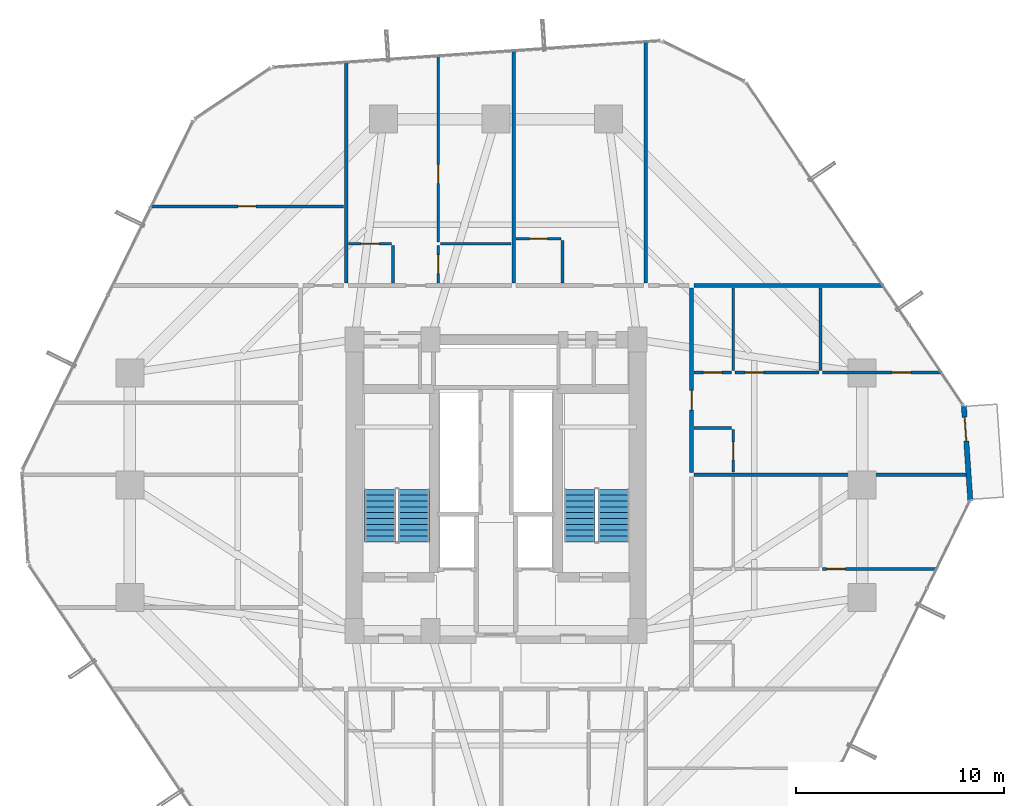
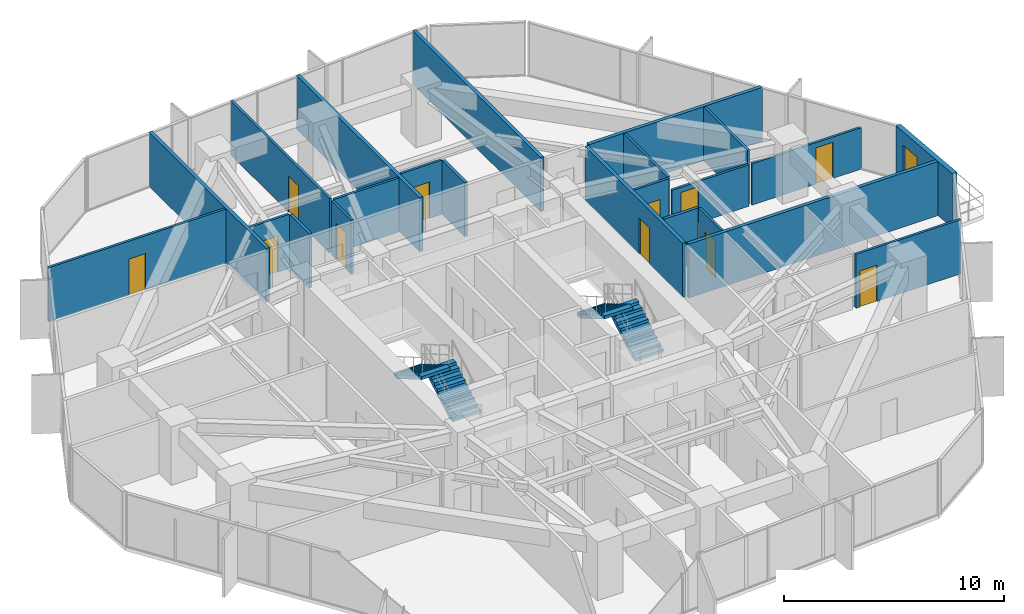
# One storey, part 35 of 37: 23 walls, 12 doors, 4 stair flights, 12 openings, 2 elements without a shape of their own.
"""IFC4 building model written with IfcOpenShell, lengths in metres."""

import ifcopenshell
import ifcopenshell.guid

model = None  # the IFC model being written
_history = None  # IfcOwnerHistory: only IFC2X3 demands one
_inside = {}  # id of a spatial element -> (the spatial element, [elements in it])
_under = {}  # id of a project, library or spatial element -> (it, [spatial elements below it])
_declared = {}  # id of a project -> (the project, [libraries it declares])
_typed = {}  # id of a type object -> (the type object, [elements of that type])
_made_of = {}  # id of a material, layer set ... -> (it, [elements and type objects made of it])


def new_model(schema):
    """Start an empty IFC model of exactly this schema.

    Asked for "IFC4X3", IfcOpenShell would pick the latest addendum, in which some entities
    have other attributes; the version numbers below select the first issue.
    IFC2X3 requires an IfcOwnerHistory on every rooted entity: one is made here for all.
    """
    global model, _history
    if schema == "IFC4X3":
        model = ifcopenshell.file(schema_version=(4, 3, 0, 0))
    else:
        model = ifcopenshell.file(schema=schema)
    _inside.clear()
    _under.clear()
    _declared.clear()
    _typed.clear()
    _made_of.clear()
    _history = None
    if model.schema == "IFC2X3":
        org = make("IfcOrganization", Name="unknown")
        user = make(
            "IfcPersonAndOrganization",
            ThePerson=make("IfcPerson", FamilyName="unknown"),
            TheOrganization=org,
        )
        app = make(
            "IfcApplication",
            ApplicationDeveloper=org,
            Version="unknown",
            ApplicationFullName="unknown",
            ApplicationIdentifier="unknown",
        )
        _history = make(
            "IfcOwnerHistory",
            OwningUser=user,
            OwningApplication=app,
            ChangeAction="ADDED",
            CreationDate=0,
        )
    return model


def make(cls, **values):
    """One entity of the class cls with the attributes given. An attribute that is None is left unset."""
    return model.create_entity(
        cls, **{name: value for name, value in values.items() if value is not None}
    )


def rooted(cls, **values):
    """An entity with a GlobalId (a new one), such as an element, a storey or a relation."""
    return make(cls, GlobalId=ifcopenshell.guid.new(), OwnerHistory=_history, **values)


def si_unit(unit_type, name, prefix=None):
    """IfcSIUnit, for example si_unit("LENGTHUNIT", "METRE", prefix="MILLI")."""
    return make("IfcSIUnit", UnitType=unit_type, Prefix=prefix, Name=name)


def assignment(units):
    """IfcUnitAssignment: the units of a project."""
    return None if units is None else make("IfcUnitAssignment", Units=units)


def point(xyz):
    """IfcCartesianPoint."""
    return None if xyz is None else make("IfcCartesianPoint", Coordinates=xyz)


def direction(xyz):
    """IfcDirection."""
    return None if xyz is None else make("IfcDirection", DirectionRatios=xyz)


def frame(location, z_axis=None, x_axis=None):
    """IfcAxis2Placement3D, a coordinate frame: its origin and axes. An axis left out is left unset."""
    return make(
        "IfcAxis2Placement3D",
        Location=point(location),
        Axis=direction(z_axis),
        RefDirection=direction(x_axis),
    )


def frame_2d(location, x_axis=None):
    """IfcAxis2Placement2D, a coordinate frame in the plane: its origin and x axis."""
    return make(
        "IfcAxis2Placement2D", Location=point(location), RefDirection=direction(x_axis)
    )


def origin():
    """The frame at (0, 0, 0) with its axes left unset."""
    return frame((0.0, 0.0, 0.0))


def place(relative_to, where):
    """IfcLocalPlacement: puts the frame where relative to a parent placement (None: the world)."""
    return make(
        "IfcLocalPlacement", PlacementRelTo=relative_to, RelativePlacement=where
    )


def context(
    kind, dimensions, precision=None, world=None, true_north=None, identifier=None
):
    """IfcGeometricRepresentationContext, for example the 3D "Model" context."""
    return make(
        "IfcGeometricRepresentationContext",
        ContextIdentifier=identifier,
        ContextType=kind,
        CoordinateSpaceDimension=dimensions,
        Precision=precision,
        WorldCoordinateSystem=world,
        TrueNorth=true_north,
    )


def subcontext(parent, identifier, kind, view, scale=None):
    """IfcGeometricRepresentationSubContext, for example "Body" below "Model"."""
    return make(
        "IfcGeometricRepresentationSubContext",
        ContextIdentifier=identifier,
        ContextType=kind,
        ParentContext=parent,
        TargetScale=scale,
        TargetView=view,
    )


def project(units=None, contexts=None):
    """IfcProject with its units and contexts."""
    return rooted(
        "IfcProject",
        Name="project",
        RepresentationContexts=contexts,
        UnitsInContext=assignment(units),
    )


def spatial(cls, under=None, at=None, **own):
    """A site, building, storey or space (cls), placed at a placement, below another one or the project."""
    s = rooted(cls, ObjectPlacement=at, **own)
    if under is not None:
        _under.setdefault(under.id(), (under, []))[1].append(s)
    return s


def polyline(points):
    """IfcPolyline through the points."""
    return make("IfcPolyline", Points=[point(p) for p in points])


def profile(cls, at=None, kind="AREA", **sizes):
    """A parametric profile (cls). Its sizes go by their IFC names, for example OverallWidth=200.0."""
    return make(cls, ProfileType=kind, Position=at, **sizes)


def rectangle(**sizes):
    """IfcRectangleProfileDef."""
    return profile("IfcRectangleProfileDef", **sizes)


def outline(outer, holes=None, kind="AREA"):
    """IfcArbitraryClosedProfileDef: a profile drawn as a closed curve; with holes, ...WithVoids."""
    if holes is None:
        return make("IfcArbitraryClosedProfileDef", ProfileType=kind, OuterCurve=outer)
    return make(
        "IfcArbitraryProfileDefWithVoids",
        ProfileType=kind,
        OuterCurve=outer,
        InnerCurves=holes,
    )


def extrude(swept, where, along, depth):
    """IfcExtrudedAreaSolid: the profile swept, set in the frame where, extruded along a direction by depth."""
    return make(
        "IfcExtrudedAreaSolid",
        SweptArea=swept,
        Position=where,
        ExtrudedDirection=direction(along),
        Depth=depth,
    )


def shape(context_of_items, identifier, shape_type, items):
    """IfcShapeRepresentation: the items that make up one representation, for example the "Body"."""
    return make(
        "IfcShapeRepresentation",
        ContextOfItems=context_of_items,
        RepresentationIdentifier=identifier,
        RepresentationType=shape_type,
        Items=items,
    )


def source(mapping_origin, context_of_items, identifier, shape_type, items):
    """IfcRepresentationMap: a shape defined once, which mapped items show again and again."""
    return make(
        "IfcRepresentationMap",
        MappingOrigin=mapping_origin,
        MappedRepresentation=shape(context_of_items, identifier, shape_type, items),
    )


def transform(
    local_origin,
    x_axis=None,
    y_axis=None,
    z_axis=None,
    scale=None,
    scale2=None,
    scale3=None,
    uniform=True,
):
    """IfcCartesianTransformationOperator3D, or its non-uniform kind. x_axis, y_axis, z_axis: its Axis1, 2, 3."""
    if uniform:
        return make(
            "IfcCartesianTransformationOperator3D",
            Axis1=direction(x_axis),
            Axis2=direction(y_axis),
            LocalOrigin=point(local_origin),
            Scale=scale,
            Axis3=direction(z_axis),
        )
    return make(
        "IfcCartesianTransformationOperator3DnonUniform",
        Axis1=direction(x_axis),
        Axis2=direction(y_axis),
        LocalOrigin=point(local_origin),
        Scale=scale,
        Axis3=direction(z_axis),
        Scale2=scale2,
        Scale3=scale3,
    )


def mapped(mapping_source, mapping_target):
    """IfcMappedItem: shows the shape of a source again, moved by a transform."""
    return make(
        "IfcMappedItem", MappingSource=mapping_source, MappingTarget=mapping_target
    )


def material(Name=None, Category=None):
    """IfcMaterial."""
    return make("IfcMaterial", Name=Name, Category=Category)


def layer(
    of_material, thickness, ventilated=None, Name=None, Category=None, Priority=None
):
    """IfcMaterialLayer: one layer of a wall or slab, of a material (None: an air gap)."""
    return make(
        "IfcMaterialLayer",
        Material=of_material,
        LayerThickness=thickness,
        IsVentilated=ventilated,
        Name=Name,
        Category=Category,
        Priority=Priority,
    )


def layer_set(layers, Name=None):
    """IfcMaterialLayerSet."""
    return make("IfcMaterialLayerSet", MaterialLayers=layers, LayerSetName=Name)


def made_of(thing, what):
    """Note that an element or type object is made of a material, layer set ...; save() writes the relation."""
    if what is not None:
        _made_of.setdefault(what.id(), (what, []))[1].append(thing)
    return thing


def type_object(cls, material=None, **own):
    """A type object (cls), such as IfcWallType, which elements share."""
    return made_of(rooted(cls, **own), material)


def element(
    cls,
    number,
    at=None,
    inside=None,
    cuts=None,
    type_object=None,
    material=None,
    context=None,
    identifier="Body",
    shape_type=None,
    held_by="IfcProductDefinitionShape",
    body=None,
    shapes=None,
    **own,
):
    """One element of the class cls, such as IfcWall. Its Tag is "e" and its number.

    at: its placement. inside: the storey or other place that contains it. cuts: it is an
    opening in that element (IfcRelVoidsElement). A single representation is given by context,
    identifier, shape_type and body (its items); several are given by shapes. held_by: the class
    of the entity that holds the representations. save() writes the other relations.
    """
    e = rooted(cls, Tag="e%d" % number, ObjectPlacement=at, **own)
    if body is not None:
        shapes = [shape(context, identifier, shape_type, body)]
    if shapes is not None:
        e.Representation = make(held_by, Representations=shapes)
    if inside is not None:
        _inside.setdefault(inside.id(), (inside, []))[1].append(e)
    if cuts is not None:
        rooted(
            "IfcRelVoidsElement", RelatingBuildingElement=cuts, RelatedOpeningElement=e
        )
    if type_object is not None:
        _typed.setdefault(type_object.id(), (type_object, []))[1].append(e)
    return made_of(e, material)


def fill(opening, filler):
    """IfcRelFillsElement: the door or window that sits in an opening."""
    return rooted(
        "IfcRelFillsElement",
        RelatingOpeningElement=opening,
        RelatedBuildingElement=filler,
    )


def aggregate(whole, parts):
    """IfcRelAggregates: a whole, such as a stair, and the parts it consists of."""
    return rooted("IfcRelAggregates", RelatingObject=whole, RelatedObjects=parts)


def save(model, path):
    """Write the relations noted so far, then the file.

    IfcRelAggregates (storeys below a building ...), IfcRelContainedInSpatialStructure (elements
    in a storey), IfcRelDefinesByType, IfcRelAssociatesMaterial and IfcRelDeclares: one each for
    every whole, place, type object, material and project.
    """
    for whole, parts in _under.values():
        aggregate(whole, parts)
    for where, things in _inside.values():
        rooted(
            "IfcRelContainedInSpatialStructure",
            RelatedElements=things,
            RelatingStructure=where,
        )
    for kind, things in _typed.values():
        rooted("IfcRelDefinesByType", RelatedObjects=things, RelatingType=kind)
    for what, things in _made_of.values():
        rooted("IfcRelAssociatesMaterial", RelatedObjects=things, RelatingMaterial=what)
    for by, libraries in _declared.values():
        rooted("IfcRelDeclares", RelatingContext=by, RelatedDefinitions=libraries)
    model.write(path)


model = new_model("IFC4")

# Units and contexts
model_context = context("Model", 3, precision=1e-05, world=origin(), true_north=direction((0.0, 1.0)))
body_context = subcontext(model_context, "Body", "Model", "MODEL_VIEW")
ifc_project = project(units=[si_unit("LENGTHUNIT", "METRE"), si_unit("AREAUNIT", "SQUARE_METRE"), si_unit("VOLUMEUNIT", "CUBIC_METRE"), si_unit("PLANEANGLEUNIT", "RADIAN"), si_unit("MASSUNIT", "GRAM", prefix="KILO")], contexts=[model_context])

# Site, building, storey
site_placement = place(None, origin())
site = spatial("IfcSite", under=ifc_project, at=site_placement, CompositionType="ELEMENT")
building_placement = place(site_placement, origin())
building = spatial("IfcBuilding", under=site, at=building_placement, Name="Veraguas Prism Commons", CompositionType="ELEMENT")
storey_placement = place(building_placement, frame((0.0, 0.0, 37.050048828125)))
storey = spatial("IfcBuildingStorey", under=building, at=storey_placement, Name="L09", CompositionType="ELEMENT", Elevation=37.050048828125)

# Walls
ifc_material_1 = material(Name="Autoclaved aerated masonry block 10 MPa", Category="masonry")
ifc_layer_1 = layer(ifc_material_1, 0.179931640625, Name="Corridor and Inter-Tenancy Partition 180", Category="masonry")
ifc_layer_set_1 = layer_set([ifc_layer_1], Name="Autoclaved aerated masonry block 10 MPa")
wall_type_1 = type_object("IfcWallType", Name="Corridor and Inter-Tenancy Partition 180", PredefinedType="PARTITIONING", material=ifc_layer_set_1)
wall_1_placement = place(storey_placement, frame((16.800048828125, 33.719970703125, 0.0), z_axis=(0.0, 0.0, 1.0), x_axis=(0.0, 1.0, 0.0)))
element("IfcWall", 1, at=wall_1_placement, inside=storey, type_object=wall_type_1, Name="WL-L09-PT016", PredefinedType="PARTITIONING", context=body_context, shape_type="SweptSolid", body=[
    extrude(rectangle(XDim=10.650146484375, YDim=0.179931640625, at=frame_2d((5.3251953125, 0.0))), origin(), (0.0, 0.0, 1.0), 3.0),
])
wall_2_placement = place(storey_placement, frame((31.199951171875, 33.719970703125, 0.0), z_axis=(0.0, 0.0, 1.0), x_axis=(0.0, 1.0, 0.0)))
element("IfcWall", 2, at=wall_2_placement, inside=storey, type_object=wall_type_1, Name="WL-L09-PT017", PredefinedType="PARTITIONING", context=body_context, shape_type="SweptSolid", body=[
    extrude(rectangle(XDim=11.63671875, YDim=0.179931640625, at=frame_2d((5.818359375, 0.0))), origin(), (0.0, 0.0, 1.0), 3.0),
])
wall_3_placement = place(storey_placement, frame((24.85205078125, 33.719970703125, 0.0), z_axis=(0.0, 0.0, 1.0), x_axis=(0.0, 1.0, 0.0)))
element("IfcWall", 3, at=wall_3_placement, inside=storey, type_object=wall_type_1, Name="WL-L09-PT024", PredefinedType="PARTITIONING", context=body_context, shape_type="SweptSolid", body=[
    extrude(rectangle(XDim=11.201904296875, YDim=0.179931640625, at=frame_2d((5.60107421875, 0.0))), origin(), (0.0, 0.0, 1.0), 3.0),
])
wall_4_placement = place(storey_placement, frame((33.52001953125, 33.60009765625, 0.0), z_axis=(0.0, 0.0, 1.0), x_axis=(1.0, 0.0, 0.0)))
element("IfcWall", 4, at=wall_4_placement, inside=storey, type_object=wall_type_1, Name="WL-L09-PT038", PredefinedType="PARTITIONING", context=body_context, shape_type="SweptSolid", body=[
    extrude(rectangle(XDim=9.107421875, YDim=0.179931640625, at=frame_2d((4.5537109375, 0.0))), origin(), (0.0, 0.0, 1.0), 3.0),
])
wall_5_placement = place(storey_placement, frame((33.52001953125, 24.508056640625, 0.0), z_axis=(0.0, 0.0, 1.0), x_axis=(1.0, 0.0, 0.0)))
element("IfcWall", 5, at=wall_5_placement, inside=storey, type_object=wall_type_1, Name="WL-L09-PT047", PredefinedType="PARTITIONING", context=body_context, shape_type="SweptSolid", body=[
    extrude(rectangle(XDim=13.2294921875, YDim=0.179931640625, at=frame_2d((6.61474609375, 0.0))), origin(), (0.0, 0.0, 1.0), 3.0),
])

# Wall, opening, door
wall_6_placement = place(storey_placement, frame((33.39990234375, 24.617919921875, 0.0), z_axis=(0.0, 0.0, 1.0), x_axis=(0.0, 1.0, 0.0)))
wall_6 = element("IfcWall", 6, at=wall_6_placement, inside=storey, type_object=wall_type_1, Name="WL-L09-PT048", PredefinedType="PARTITIONING", context=body_context, shape_type="SweptSolid", body=[
    extrude(rectangle(XDim=8.8720703125, YDim=0.179931640625, at=frame_2d((4.43603515625, 0.0))), origin(), (0.0, 0.0, 1.0), 3.0),
])
opening_1_placement = place(wall_6_placement, frame((2.9951171875, 0.0, 0.0)))
opening_1 = element("IfcOpeningElement", 7, at=opening_1_placement, cuts=wall_6, Name="Opening DR-01", PredefinedType="OPENING", context=body_context, shape_type="SweptSolid", body=[
    extrude(rectangle(XDim=0.949951171875, YDim=2.02001953125, at=frame_2d((0.47509765625, 1.010009765625))), frame((0.0, 0.099853515625, 0.0), z_axis=(0.0, -1.0, 0.0), x_axis=(1.0, 0.0, 0.0)), (0.0, 0.0, 1.0), 0.199951171875),
])
ifc_material_2 = material(Name="Anodised aluminium EN AW-6063 T6", Category="aluminium")
door_type_1 = type_object("IfcDoorType", Name="Apartment Entrance Fire Door 950x2020", OperationType="NOTDEFINED", PredefinedType="DOOR", material=ifc_material_2)
shared_shape_1 = source(origin(), body_context, "Body", "SweptSolid", [
    extrude(rectangle(XDim=0.949951171875, YDim=2.02001953125, at=frame_2d((0.47509765625, 1.010009765625))), frame((0.0, 0.02490234375, 0.0), z_axis=(0.0, -1.0, 0.0), x_axis=(1.0, 0.0, 0.0)), (0.0, 0.0, 1.0), 0.050048828125),
])
door_1_placement = place(opening_1_placement, origin())
door_1 = element("IfcDoor", 8, at=door_1_placement, inside=storey, type_object=door_type_1, Name="Flat 09F Entrance Door", OperationType="SINGLE_SWING_RIGHT", OverallHeight=2.02001953125, OverallWidth=0.949951171875, PredefinedType="DOOR", context=body_context, shape_type="MappedRepresentation", body=[
    mapped(shared_shape_1, transform((0.0, 0.0, 0.0), scale=1.0)),
])
fill(opening_1, door_1)

ifc_material_3 = material(Name="Precast concrete C40/50", Category="concrete")
ifc_layer_2 = layer(ifc_material_3, 0.25, Name="External Loggia and Portal Wall 250", Category="concrete")
ifc_layer_set_2 = layer_set([ifc_layer_2], Name="Precast concrete C40/50")
wall_type_2 = type_object("IfcWallType", Name="External Loggia and Portal Wall 250", PredefinedType="SOLIDWALL", material=ifc_layer_set_2)
wall_7_placement = place(storey_placement, frame((46.804443359375, 23.267333984375, 0.0), z_axis=(0.0, 0.0, 1.0), x_axis=(-0.068390469298, 0.99765863085, 0.0)))
wall_7 = element("IfcWall", 9, at=wall_7_placement, inside=storey, type_object=wall_type_2, Name="Corner Loggia Wall L09-C1", PredefinedType="SOLIDWALL", context=body_context, shape_type="SweptSolid", body=[
    extrude(rectangle(XDim=4.580078125, YDim=0.25, at=frame_2d((2.2900390625, 0.0))), origin(), (0.0, 0.0, 1.0), 3.0),
])
opening_2_placement = place(wall_7_placement, frame((2.860107421875, 0.0, 0.0)))
opening_2 = element("IfcOpeningElement", 10, at=opening_2_placement, cuts=wall_7, Name="Opening DR-10", PredefinedType="OPENING", context=body_context, shape_type="SweptSolid", body=[
    extrude(rectangle(XDim=1.14990234375, YDim=2.25, at=frame_2d((0.574951171875, 1.125))), frame((0.0, 0.135009765625, 0.0), z_axis=(0.0, -1.0, 0.0), x_axis=(1.0, 0.0, 0.0)), (0.0, 0.0, 1.0), 0.27001953125),
])
door_type_2 = type_object("IfcDoorType", Name="Glazed Loggia and Terrace Door 1150x2250", OperationType="NOTDEFINED", PredefinedType="DOOR", material=ifc_material_2)
shared_shape_2 = source(origin(), body_context, "Body", "SweptSolid", [
    extrude(rectangle(XDim=1.14990234375, YDim=2.25, at=frame_2d((0.574951171875, 1.125))), frame((0.0, 0.02490234375, 0.0), z_axis=(0.0, -1.0, 0.0), x_axis=(1.0, 0.0, 0.0)), (0.0, 0.0, 1.0), 0.050048828125),
])
door_2_placement = place(opening_2_placement, frame((1.14990234375, 0.0, 0.0), z_axis=(0.0, 0.0, 1.0), x_axis=(-1.0, 0.0, 0.0)))
door_2 = element("IfcDoor", 11, at=door_2_placement, inside=storey, type_object=door_type_2, Name="Recessed Loggia Door L09-C1", OperationType="SINGLE_SWING_LEFT", OverallHeight=2.25, OverallWidth=1.14990234375, PredefinedType="DOOR", context=body_context, shape_type="MappedRepresentation", body=[
    mapped(shared_shape_2, transform((0.0, 0.0, 0.0), scale=1.0)),
])
fill(opening_2, door_2)

ifc_material_4 = material(Name="Lightweight acoustic gypsum board")
ifc_layer_3 = layer(ifc_material_4, 0.125, Name="Internal Apartment Room Partition 125")
ifc_layer_set_3 = layer_set([ifc_layer_3], Name="Lightweight acoustic gypsum board")
wall_type_3 = type_object("IfcWallType", Name="Internal Apartment Room Partition 125", PredefinedType="PARTITIONING", material=ifc_layer_set_3)
wall_8_placement = place(storey_placement, frame((16.919921875, 35.60009765625, 0.0), z_axis=(0.0, 0.0, 1.0), x_axis=(1.0, 0.0, 0.0)))
wall_8 = element("IfcWall", 12, at=wall_8_placement, inside=storey, type_object=wall_type_3, Name="WL-L09-PT020", PredefinedType="PARTITIONING", context=body_context, shape_type="SweptSolid", body=[
    extrude(rectangle(XDim=2.050048828125, YDim=0.125, at=frame_2d((1.02490234375, 0.0))), origin(), (0.0, 0.0, 1.0), 3.0),
])
opening_3_placement = place(wall_8_placement, frame((0.594970703125, 0.0, 0.0)))
opening_3 = element("IfcOpeningElement", 13, at=opening_3_placement, cuts=wall_8, Name="Opening DR-03", PredefinedType="OPENING", context=body_context, shape_type="SweptSolid", body=[
    extrude(rectangle(XDim=0.860107421875, YDim=2.010009765625, at=frame_2d((0.43017578125, 1.0048828125))), frame((0.0, 0.072509765625, 0.0), z_axis=(0.0, -1.0, 0.0), x_axis=(1.0, 0.0, 0.0)), (0.0, 0.0, 1.0), 0.14501953125),
])
ifc_material_5 = material(Name="Timber moisture-resistant leaf", Category="wood")
door_type_3 = type_object("IfcDoorType", Name="Internal Bathroom Door 860x2010", OperationType="NOTDEFINED", PredefinedType="DOOR", material=ifc_material_5)
shared_shape_3 = source(origin(), body_context, "Body", "SweptSolid", [
    extrude(rectangle(XDim=0.860107421875, YDim=2.010009765625, at=frame_2d((0.43017578125, 1.0048828125))), frame((0.0, 0.02490234375, 0.0), z_axis=(0.0, -1.0, 0.0), x_axis=(1.0, 0.0, 0.0)), (0.0, 0.0, 1.0), 0.050048828125),
])
door_3_placement = place(opening_3_placement, origin())
door_3 = element("IfcDoor", 14, at=door_3_placement, inside=storey, type_object=door_type_3, Name="Flat 09C Bathroom Door", OperationType="SINGLE_SWING_RIGHT", OverallHeight=2.010009765625, OverallWidth=0.860107421875, PredefinedType="DOOR", context=body_context, shape_type="MappedRepresentation", body=[
    mapped(shared_shape_3, transform((0.0, 0.0, 0.0), scale=1.0)),
])
fill(opening_3, door_3)

wall_9_placement = place(storey_placement, frame((21.22900390625, 33.719970703125, 0.0), z_axis=(0.0, 0.0, 1.0), x_axis=(0.0, 1.0, 0.0)))
wall_9 = element("IfcWall", 15, at=wall_9_placement, inside=storey, type_object=wall_type_3, Name="WL-L09-PT021", PredefinedType="PARTITIONING", context=body_context, shape_type="SweptSolid", body=[
    extrude(rectangle(XDim=1.800048828125, YDim=0.125, at=frame_2d((0.89990234375, 0.0))), origin(), (0.0, 0.0, 1.0), 3.0),
])
opening_4_placement = place(wall_9_placement, frame((0.449951171875, 0.0, 0.0)))
opening_4 = element("IfcOpeningElement", 16, at=opening_4_placement, cuts=wall_9, Name="Opening DR-02", PredefinedType="OPENING", context=body_context, shape_type="SweptSolid", body=[
    extrude(rectangle(XDim=0.89990234375, YDim=2.010009765625, at=frame_2d((0.449951171875, 1.0048828125))), frame((0.0, 0.072509765625, 0.0), z_axis=(0.0, -1.0, 0.0), x_axis=(1.0, 0.0, 0.0)), (0.0, 0.0, 1.0), 0.14501953125),
])
ifc_material_6 = material(Name="Timber solid core hardwood", Category="wood")
door_type_4 = type_object("IfcDoorType", Name="Internal Habitable Room Door 900x2010", OperationType="NOTDEFINED", PredefinedType="DOOR", material=ifc_material_6)
shared_shape_4 = source(origin(), body_context, "Body", "SweptSolid", [
    extrude(rectangle(XDim=0.89990234375, YDim=2.010009765625, at=frame_2d((0.449951171875, 1.0048828125))), frame((0.0, 0.02490234375, 0.0), z_axis=(0.0, -1.0, 0.0), x_axis=(1.0, 0.0, 0.0)), (0.0, 0.0, 1.0), 0.050048828125),
])
door_4_placement = place(opening_4_placement, origin())
door_4 = element("IfcDoor", 17, at=door_4_placement, inside=storey, type_object=door_type_4, Name="Flat 09C Kitchen Door", OperationType="SINGLE_SWING_LEFT", OverallHeight=2.010009765625, OverallWidth=0.89990234375, PredefinedType="DOOR", context=body_context, shape_type="MappedRepresentation", body=[
    mapped(shared_shape_4, transform((0.0, 0.0, 0.0), scale=1.0)),
])
fill(opening_4, door_4)

# Wall
wall_10_placement = place(storey_placement, frame((21.3291015625, 35.60009765625, 0.0), z_axis=(0.0, 0.0, 1.0), x_axis=(1.0, 0.0, 0.0)))
element("IfcWall", 18, at=wall_10_placement, inside=storey, type_object=wall_type_3, Name="WL-L09-PT022", PredefinedType="PARTITIONING", context=body_context, shape_type="SweptSolid", body=[
    extrude(rectangle(XDim=3.40283203125, YDim=0.125, at=frame_2d((1.701416015625, 0.0))), origin(), (0.0, 0.0, 1.0), 3.0),
])

# Wall, opening, door
wall_11_placement = place(storey_placement, frame((21.22900390625, 35.699951171875, 0.0), z_axis=(0.0, 0.0, 1.0), x_axis=(0.0, 1.0, 0.0)))
wall_11 = element("IfcWall", 19, at=wall_11_placement, inside=storey, type_object=wall_type_3, Name="WL-L09-PT023", PredefinedType="PARTITIONING", context=body_context, shape_type="SweptSolid", body=[
    extrude(rectangle(XDim=8.9736328125, YDim=0.125, at=frame_2d((4.48681640625, 0.0))), origin(), (0.0, 0.0, 1.0), 3.0),
])
opening_5_placement = place(wall_11_placement, frame((2.80908203125, 0.0, 0.0)))
opening_5 = element("IfcOpeningElement", 20, at=opening_5_placement, cuts=wall_11, Name="Opening DR-02", PredefinedType="OPENING", context=body_context, shape_type="SweptSolid", body=[
    extrude(rectangle(XDim=0.89990234375, YDim=2.010009765625, at=frame_2d((0.449951171875, 1.0048828125))), frame((0.0, 0.072509765625, 0.0), z_axis=(0.0, -1.0, 0.0), x_axis=(1.0, 0.0, 0.0)), (0.0, 0.0, 1.0), 0.14501953125),
])
door_5_placement = place(opening_5_placement, origin())
door_5 = element("IfcDoor", 21, at=door_5_placement, inside=storey, type_object=door_type_4, Name="Flat 09C Bedroom 1 Door", OperationType="SINGLE_SWING_RIGHT", OverallHeight=2.010009765625, OverallWidth=0.89990234375, PredefinedType="DOOR", context=body_context, shape_type="MappedRepresentation", body=[
    mapped(shared_shape_4, transform((0.0, 0.0, 0.0), scale=1.0)),
])
fill(opening_5, door_5)

wall_12_placement = place(storey_placement, frame((24.971923828125, 35.85009765625, 0.0), z_axis=(0.0, 0.0, 1.0), x_axis=(1.0, 0.0, 0.0)))
wall_12 = element("IfcWall", 22, at=wall_12_placement, inside=storey, type_object=wall_type_3, Name="WL-L09-PT027", PredefinedType="PARTITIONING", context=body_context, shape_type="SweptSolid", body=[
    extrude(rectangle(XDim=2.150146484375, YDim=0.125, at=frame_2d((1.0751953125, 0.0))), origin(), (0.0, 0.0, 1.0), 3.0),
])
opening_6_placement = place(wall_12_placement, frame((0.64501953125, 0.0, 0.0)))
opening_6 = element("IfcOpeningElement", 23, at=opening_6_placement, cuts=wall_12, Name="Opening DR-03", PredefinedType="OPENING", context=body_context, shape_type="SweptSolid", body=[
    extrude(rectangle(XDim=0.860107421875, YDim=2.010009765625, at=frame_2d((0.43017578125, 1.0048828125))), frame((0.0, 0.072509765625, 0.0), z_axis=(0.0, -1.0, 0.0), x_axis=(1.0, 0.0, 0.0)), (0.0, 0.0, 1.0), 0.14501953125),
])
door_6_placement = place(opening_6_placement, origin())
door_6 = element("IfcDoor", 24, at=door_6_placement, inside=storey, type_object=door_type_3, Name="Studio 09D Bathroom Door", OperationType="SINGLE_SWING_RIGHT", OverallHeight=2.010009765625, OverallWidth=0.860107421875, PredefinedType="DOOR", context=body_context, shape_type="MappedRepresentation", body=[
    mapped(shared_shape_3, transform((0.0, 0.0, 0.0), scale=1.0)),
])
fill(opening_6, door_6)

wall_13_placement = place(storey_placement, frame((39.699951171875, 19.971923828125, 0.0), z_axis=(0.0, 0.0, 1.0), x_axis=(1.0, 0.0, 0.0)))
wall_13 = element("IfcWall", 25, at=wall_13_placement, inside=storey, type_object=wall_type_3, Name="WL-L09-PT046", PredefinedType="PARTITIONING", context=body_context, shape_type="SweptSolid", body=[
    extrude(rectangle(XDim=5.502685546875, YDim=0.125, at=frame_2d((2.75146484375, 0.0))), origin(), (0.0, 0.0, 1.0), 3.0),
])
opening_7_placement = place(wall_13_placement, frame((0.199951171875, 0.0, 0.0)))
opening_7 = element("IfcOpeningElement", 26, at=opening_7_placement, cuts=wall_13, Name="Opening DR-02", PredefinedType="OPENING", context=body_context, shape_type="SweptSolid", body=[
    extrude(rectangle(XDim=0.89990234375, YDim=2.010009765625, at=frame_2d((0.449951171875, 1.0048828125))), frame((0.0, 0.072509765625, 0.0), z_axis=(0.0, -1.0, 0.0), x_axis=(1.0, 0.0, 0.0)), (0.0, 0.0, 1.0), 0.14501953125),
])
door_7_placement = place(opening_7_placement, origin())
door_7 = element("IfcDoor", 27, at=door_7_placement, inside=storey, type_object=door_type_4, Name="Flat 09E Bedroom 2 Door", OperationType="SINGLE_SWING_LEFT", OverallHeight=2.010009765625, OverallWidth=0.89990234375, PredefinedType="DOOR", context=body_context, shape_type="MappedRepresentation", body=[
    mapped(shared_shape_4, transform((0.0, 0.0, 0.0), scale=1.0)),
])
fill(opening_7, door_7)

wall_14_placement = place(storey_placement, frame((35.39990234375, 24.6279296875, 0.0), z_axis=(0.0, 0.0, 1.0), x_axis=(0.0, 1.0, 0.0)))
wall_14 = element("IfcWall", 28, at=wall_14_placement, inside=storey, type_object=wall_type_3, Name="WL-L09-PT050", PredefinedType="PARTITIONING", context=body_context, shape_type="SweptSolid", body=[
    extrude(rectangle(XDim=2.050048828125, YDim=0.125, at=frame_2d((1.02490234375, 0.0))), origin(), (0.0, 0.0, 1.0), 3.0),
])
opening_8_placement = place(wall_14_placement, frame((0.594970703125, 0.0, 0.0)))
opening_8 = element("IfcOpeningElement", 29, at=opening_8_placement, cuts=wall_14, Name="Opening DR-03", PredefinedType="OPENING", context=body_context, shape_type="SweptSolid", body=[
    extrude(rectangle(XDim=0.860107421875, YDim=2.010009765625, at=frame_2d((0.43017578125, 1.0048828125))), frame((0.0, 0.072509765625, 0.0), z_axis=(0.0, -1.0, 0.0), x_axis=(1.0, 0.0, 0.0)), (0.0, 0.0, 1.0), 0.14501953125),
])
door_8_placement = place(opening_8_placement, origin())
door_8 = element("IfcDoor", 30, at=door_8_placement, inside=storey, type_object=door_type_3, Name="Flat 09F Bathroom Door", OperationType="SINGLE_SWING_LEFT", OverallHeight=2.010009765625, OverallWidth=0.860107421875, PredefinedType="DOOR", context=body_context, shape_type="MappedRepresentation", body=[
    mapped(shared_shape_3, transform((0.0, 0.0, 0.0), scale=1.0)),
])
fill(opening_8, door_8)

wall_15_placement = place(storey_placement, frame((33.52001953125, 29.41796875, 0.0), z_axis=(0.0, 0.0, 1.0), x_axis=(1.0, 0.0, 0.0)))
wall_15 = element("IfcWall", 31, at=wall_15_placement, inside=storey, type_object=wall_type_3, Name="WL-L09-PT051", PredefinedType="PARTITIONING", context=body_context, shape_type="SweptSolid", body=[
    extrude(rectangle(XDim=1.800048828125, YDim=0.125, at=frame_2d((0.89990234375, 0.0))), origin(), (0.0, 0.0, 1.0), 3.0),
])
opening_9_placement = place(wall_15_placement, frame((0.449951171875, 0.0, 0.0)))
opening_9 = element("IfcOpeningElement", 32, at=opening_9_placement, cuts=wall_15, Name="Opening DR-02", PredefinedType="OPENING", context=body_context, shape_type="SweptSolid", body=[
    extrude(rectangle(XDim=0.89990234375, YDim=2.010009765625, at=frame_2d((0.449951171875, 1.0048828125))), frame((0.0, 0.072509765625, 0.0), z_axis=(0.0, -1.0, 0.0), x_axis=(1.0, 0.0, 0.0)), (0.0, 0.0, 1.0), 0.14501953125),
])
door_9_placement = place(opening_9_placement, origin())
door_9 = element("IfcDoor", 33, at=door_9_placement, inside=storey, type_object=door_type_4, Name="Flat 09F Kitchen Door", OperationType="SINGLE_SWING_RIGHT", OverallHeight=2.010009765625, OverallWidth=0.89990234375, PredefinedType="DOOR", context=body_context, shape_type="MappedRepresentation", body=[
    mapped(shared_shape_4, transform((0.0, 0.0, 0.0), scale=1.0)),
])
fill(opening_9, door_9)

# Walls
for number, where, z_axis, x_axis, name in (
    (34, (35.39990234375, 29.51806640625, 0.0), (0.0, 0.0, 1.0), (0.0, 1.0, 0.0), "WL-L09-PT052"),
    (35, (39.60009765625, 29.51806640625, 0.0), (0.0, 0.0, 1.0), (0.0, 1.0, 0.0), "WL-L09-PT053"),
):
    element("IfcWall", number, at=place(storey_placement, frame(where, z_axis=z_axis, x_axis=x_axis)), inside=storey, type_object=wall_type_3, Name=name, PredefinedType="PARTITIONING", context=body_context, shape_type="SweptSolid", body=[
        extrude(rectangle(XDim=3.9619140625, YDim=0.125, at=frame_2d((1.98095703125, 0.0))), origin(), (0.0, 0.0, 1.0), 3.0),
    ])

# Wall, opening, door
wall_16_placement = place(storey_placement, frame((35.5, 29.41796875, 0.0), z_axis=(0.0, 0.0, 1.0), x_axis=(1.0, 0.0, 0.0)))
wall_16 = element("IfcWall", 36, at=wall_16_placement, inside=storey, type_object=wall_type_3, Name="WL-L09-PT054", PredefinedType="PARTITIONING", context=body_context, shape_type="SweptSolid", body=[
    extrude(rectangle(XDim=4.02001953125, YDim=0.125, at=frame_2d((2.010009765625, 0.0))), origin(), (0.0, 0.0, 1.0), 2.299072265625),
])
opening_10_placement = place(wall_16_placement, frame((0.471923828125, 0.0, 0.0)))
opening_10 = element("IfcOpeningElement", 37, at=opening_10_placement, cuts=wall_16, Name="Opening DR-02", PredefinedType="OPENING", context=body_context, shape_type="SweptSolid", body=[
    extrude(rectangle(XDim=0.89990234375, YDim=2.010009765625, at=frame_2d((0.449951171875, 1.0048828125))), frame((0.0, 0.072509765625, 0.0), z_axis=(0.0, -1.0, 0.0), x_axis=(1.0, 0.0, 0.0)), (0.0, 0.0, 1.0), 0.14501953125),
])
door_10_placement = place(opening_10_placement, origin())
door_10 = element("IfcDoor", 38, at=door_10_placement, inside=storey, type_object=door_type_4, Name="Flat 09F Bedroom 1 Door", OperationType="SINGLE_SWING_LEFT", OverallHeight=2.010009765625, OverallWidth=0.89990234375, PredefinedType="DOOR", context=body_context, shape_type="MappedRepresentation", body=[
    mapped(shared_shape_4, transform((0.0, 0.0, 0.0), scale=1.0)),
])
fill(opening_10, door_10)

wall_17_placement = place(storey_placement, frame((39.699951171875, 29.41796875, 0.0), z_axis=(0.0, 0.0, 1.0), x_axis=(1.0, 0.0, 0.0)))
wall_17 = element("IfcWall", 39, at=wall_17_placement, inside=storey, type_object=wall_type_3, Name="WL-L09-PT055", PredefinedType="PARTITIONING", context=body_context, shape_type="SweptSolid", body=[
    extrude(rectangle(XDim=5.739990234375, YDim=0.125, at=frame_2d((2.8701171875, 0.0))), origin(), (0.0, 0.0, 1.0), 2.299072265625),
])
opening_11_placement = place(wall_17_placement, frame((3.344970703125, 0.0, 0.0)))
opening_11 = element("IfcOpeningElement", 40, at=opening_11_placement, cuts=wall_17, Name="Opening DR-02", PredefinedType="OPENING", context=body_context, shape_type="SweptSolid", body=[
    extrude(rectangle(XDim=0.89990234375, YDim=2.010009765625, at=frame_2d((0.449951171875, 1.0048828125))), frame((0.0, 0.072509765625, 0.0), z_axis=(0.0, -1.0, 0.0), x_axis=(1.0, 0.0, 0.0)), (0.0, 0.0, 1.0), 0.14501953125),
])
door_11_placement = place(opening_11_placement, origin())
door_11 = element("IfcDoor", 41, at=door_11_placement, inside=storey, type_object=door_type_4, Name="Flat 09F Bedroom 2 Door", OperationType="SINGLE_SWING_RIGHT", OverallHeight=2.010009765625, OverallWidth=0.89990234375, PredefinedType="DOOR", context=body_context, shape_type="MappedRepresentation", body=[
    mapped(shared_shape_4, transform((0.0, 0.0, 0.0), scale=1.0)),
])
fill(opening_11, door_11)

wall_18_placement = place(storey_placement, frame((7.384521484375, 37.39990234375, 0.0), z_axis=(0.0, 0.0, 1.0), x_axis=(1.0, 0.0, 0.0)))
wall_18 = element("IfcWall", 42, at=wall_18_placement, inside=storey, type_object=wall_type_3, Name="WL-L09-PT060", PredefinedType="PARTITIONING", context=body_context, shape_type="SweptSolid", body=[
    extrude(rectangle(XDim=9.29541015625, YDim=0.125, at=frame_2d((4.647705078125, 0.0))), origin(), (0.0, 0.0, 1.0), 3.0),
])
opening_12_placement = place(wall_18_placement, frame((4.2177734375, 0.0, 0.0)))
opening_12 = element("IfcOpeningElement", 43, at=opening_12_placement, cuts=wall_18, Name="Opening DR-03", PredefinedType="OPENING", context=body_context, shape_type="SweptSolid", body=[
    extrude(rectangle(XDim=0.860107421875, YDim=2.010009765625, at=frame_2d((0.43017578125, 1.0048828125))), frame((0.0, 0.072509765625, 0.0), z_axis=(0.0, -1.0, 0.0), x_axis=(1.0, 0.0, 0.0)), (0.0, 0.0, 1.0), 0.14501953125),
])
door_12_placement = place(opening_12_placement, origin())
door_12 = element("IfcDoor", 44, at=door_12_placement, inside=storey, type_object=door_type_3, Name="Corner Store NW Door", OperationType="SINGLE_SWING_LEFT", OverallHeight=2.010009765625, OverallWidth=0.860107421875, PredefinedType="DOOR", context=body_context, shape_type="MappedRepresentation", body=[
    mapped(shared_shape_3, transform((0.0, 0.0, 0.0), scale=1.0)),
])
fill(opening_12, door_12)

# Walls
ifc_layer_4 = layer(ifc_material_4, 0.14990234375, Name="Wet Room and Clinic Acoustic Partition 150")
ifc_layer_set_4 = layer_set([ifc_layer_4], Name="Lightweight acoustic gypsum board")
wall_type_4 = type_object("IfcWallType", Name="Wet Room and Clinic Acoustic Partition 150", PredefinedType="PARTITIONING", material=ifc_layer_set_4)
wall_19_placement = place(storey_placement, frame((19.050048828125, 33.719970703125, 0.0), z_axis=(0.0, 0.0, 1.0), x_axis=(0.0, 1.0, 0.0)))
element("IfcWall", 45, at=wall_19_placement, inside=storey, type_object=wall_type_4, Name="WL-L09-PT019", PredefinedType="PARTITIONING", context=body_context, shape_type="SweptSolid", body=[
    extrude(rectangle(XDim=1.800048828125, YDim=0.14990234375, at=frame_2d((0.89990234375, 0.0))), origin(), (0.0, 0.0, 1.0), 3.0),
])
wall_20_placement = place(storey_placement, frame((27.201904296875, 33.719970703125, 0.0), z_axis=(0.0, 0.0, 1.0), x_axis=(0.0, 1.0, 0.0)))
element("IfcWall", 46, at=wall_20_placement, inside=storey, type_object=wall_type_4, Name="WL-L09-PT026", PredefinedType="PARTITIONING", context=body_context, shape_type="SweptSolid", body=[
    extrude(rectangle(XDim=2.050048828125, YDim=0.14990234375, at=frame_2d((1.02490234375, 0.0))), origin(), (0.0, 0.0, 1.0), 3.0),
])
wall_21_placement = place(storey_placement, frame((33.52001953125, 26.758056640625, 0.0), z_axis=(0.0, 0.0, 1.0), x_axis=(1.0, 0.0, 0.0)))
element("IfcWall", 47, at=wall_21_placement, inside=storey, type_object=wall_type_4, Name="WL-L09-PT049", PredefinedType="PARTITIONING", context=body_context, shape_type="SweptSolid", body=[
    extrude(rectangle(XDim=1.800048828125, YDim=0.14990234375, at=frame_2d((0.89990234375, 0.0))), origin(), (0.0, 0.0, 1.0), 3.0),
])

# Stair, stair flights
ifc_material_7 = material(Name="Precast concrete C45/55", Category="concrete")
stair_type = type_object("IfcStairType", Name="Dogleg Core Stair 1480W 20R 05", PredefinedType="HALF_TURN_STAIR", material=ifc_material_7)
stair_1_placement = place(storey_placement, origin())
stair_1 = element("IfcStair", 48, at=stair_1_placement, inside=storey, type_object=stair_type, Name="Protected Exit Stair ST-01 L09", PredefinedType="HALF_TURN_STAIR")
stair_flight_type = type_object("IfcStairFlightType", Name="Precast Stair Flight 1480W 10R 05", PredefinedType="STRAIGHT", material=ifc_material_7)
stair_flight_1_placement = place(storey_placement, frame((20.06005859375, 21.280029296875, 0.0), z_axis=(0.0, 0.0, 1.0), x_axis=(0.0, 1.0, 0.0)))
stair_flight_1 = element("IfcStairFlight", 49, at=stair_flight_1_placement, type_object=stair_flight_type, Name="ST-05 Flight 1", NumberOfRisers=10, NumberOfTreads=9, PredefinedType="STRAIGHT", RiserHeight=0.1625, TreadLength=0.28, context=body_context, shape_type="SweptSolid", body=[
    extrude(outline(polyline([(0.0, 0.0), (0.0, 0.16259765625), (0.280029296875, 0.16259765625), (0.280029296875, 0.324951171875), (0.56005859375, 0.324951171875), (0.56005859375, 0.487548828125), (0.840087890625, 0.487548828125), (0.840087890625, 0.64990234375), (1.1201171875, 0.64990234375), (1.1201171875, 0.8125), (1.39990234375, 0.8125), (1.39990234375, 0.97509765625), (1.679931640625, 0.97509765625), (1.679931640625, 1.137451171875), (1.9599609375, 1.137451171875), (1.9599609375, 1.300048828125), (2.239990234375, 1.300048828125), (2.239990234375, 1.46240234375), (2.52001953125, 1.46240234375), (2.52001953125, 1.625), (2.52001953125, 1.2890625), (0.298583984375, 0.0), (0.0, 0.0)])), frame((0.0, 0.739990234375, 0.0), z_axis=(0.0, -1.0, 0.0), x_axis=(1.0, 0.0, 0.0)), (0.0, 0.0, 1.0), 1.47998046875),
])
stair_flight_2_placement = place(storey_placement, frame((18.429931640625, 23.800048828125, 1.625), z_axis=(0.0, 0.0, 1.0), x_axis=(0.0, -1.0, 0.0)))
stair_flight_2 = element("IfcStairFlight", 50, at=stair_flight_2_placement, type_object=stair_flight_type, Name="ST-05 Flight 2", NumberOfRisers=10, NumberOfTreads=9, PredefinedType="STRAIGHT", RiserHeight=0.1625, TreadLength=0.28, context=body_context, shape_type="SweptSolid", body=[
    extrude(outline(polyline([(0.0, 0.0), (0.0, 0.16259765625), (0.280029296875, 0.16259765625), (0.280029296875, 0.324951171875), (0.56005859375, 0.324951171875), (0.56005859375, 0.487548828125), (0.840087890625, 0.487548828125), (0.840087890625, 0.64990234375), (1.1201171875, 0.64990234375), (1.1201171875, 0.8125), (1.39990234375, 0.8125), (1.39990234375, 0.97509765625), (1.679931640625, 0.97509765625), (1.679931640625, 1.137451171875), (1.9599609375, 1.137451171875), (1.9599609375, 1.300048828125), (2.239990234375, 1.300048828125), (2.239990234375, 1.46240234375), (2.52001953125, 1.46240234375), (2.52001953125, 1.625), (2.52001953125, 1.2890625), (0.298583984375, 0.0), (0.0, 0.0)])), frame((0.0, 0.739990234375, 0.0), z_axis=(0.0, -1.0, 0.0), x_axis=(1.0, 0.0, 0.0)), (0.0, 0.0, 1.0), 1.47998046875),
])
aggregate(stair_1, [stair_flight_1, stair_flight_2])

stair_2_placement = place(storey_placement, origin())
stair_2 = element("IfcStair", 51, at=stair_2_placement, inside=storey, type_object=stair_type, Name="Protected Exit Stair ST-02 L09", PredefinedType="HALF_TURN_STAIR")
stair_flight_3_placement = place(storey_placement, frame((29.659912109375, 21.280029296875, 0.0), z_axis=(0.0, 0.0, 1.0), x_axis=(0.0, 1.0, 0.0)))
stair_flight_3 = element("IfcStairFlight", 52, at=stair_flight_3_placement, type_object=stair_flight_type, Name="ST-05 Flight 1", NumberOfRisers=10, NumberOfTreads=9, PredefinedType="STRAIGHT", RiserHeight=0.1625, TreadLength=0.28, context=body_context, shape_type="SweptSolid", body=[
    extrude(outline(polyline([(0.0, 0.0), (0.0, 0.16259765625), (0.280029296875, 0.16259765625), (0.280029296875, 0.324951171875), (0.56005859375, 0.324951171875), (0.56005859375, 0.487548828125), (0.840087890625, 0.487548828125), (0.840087890625, 0.64990234375), (1.1201171875, 0.64990234375), (1.1201171875, 0.8125), (1.39990234375, 0.8125), (1.39990234375, 0.97509765625), (1.679931640625, 0.97509765625), (1.679931640625, 1.137451171875), (1.9599609375, 1.137451171875), (1.9599609375, 1.300048828125), (2.239990234375, 1.300048828125), (2.239990234375, 1.46240234375), (2.52001953125, 1.46240234375), (2.52001953125, 1.625), (2.52001953125, 1.2890625), (0.298583984375, 0.0), (0.0, 0.0)])), frame((0.0, 0.739990234375, 0.0), z_axis=(0.0, -1.0, 0.0), x_axis=(1.0, 0.0, 0.0)), (0.0, 0.0, 1.0), 1.47998046875),
])
stair_flight_4_placement = place(storey_placement, frame((28.030029296875, 23.800048828125, 1.625), z_axis=(0.0, 0.0, 1.0), x_axis=(0.0, -1.0, 0.0)))
stair_flight_4 = element("IfcStairFlight", 53, at=stair_flight_4_placement, type_object=stair_flight_type, Name="ST-05 Flight 2", NumberOfRisers=10, NumberOfTreads=9, PredefinedType="STRAIGHT", RiserHeight=0.1625, TreadLength=0.28, context=body_context, shape_type="SweptSolid", body=[
    extrude(outline(polyline([(0.0, 0.0), (0.0, 0.16259765625), (0.280029296875, 0.16259765625), (0.280029296875, 0.324951171875), (0.56005859375, 0.324951171875), (0.56005859375, 0.487548828125), (0.840087890625, 0.487548828125), (0.840087890625, 0.64990234375), (1.1201171875, 0.64990234375), (1.1201171875, 0.8125), (1.39990234375, 0.8125), (1.39990234375, 0.97509765625), (1.679931640625, 0.97509765625), (1.679931640625, 1.137451171875), (1.9599609375, 1.137451171875), (1.9599609375, 1.300048828125), (2.239990234375, 1.300048828125), (2.239990234375, 1.46240234375), (2.52001953125, 1.46240234375), (2.52001953125, 1.625), (2.52001953125, 1.2890625), (0.298583984375, 0.0), (0.0, 0.0)])), frame((0.0, 0.739990234375, 0.0), z_axis=(0.0, -1.0, 0.0), x_axis=(1.0, 0.0, 0.0)), (0.0, 0.0, 1.0), 1.47998046875),
])
aggregate(stair_2, [stair_flight_3, stair_flight_4])

save(model, "model.ifc")
